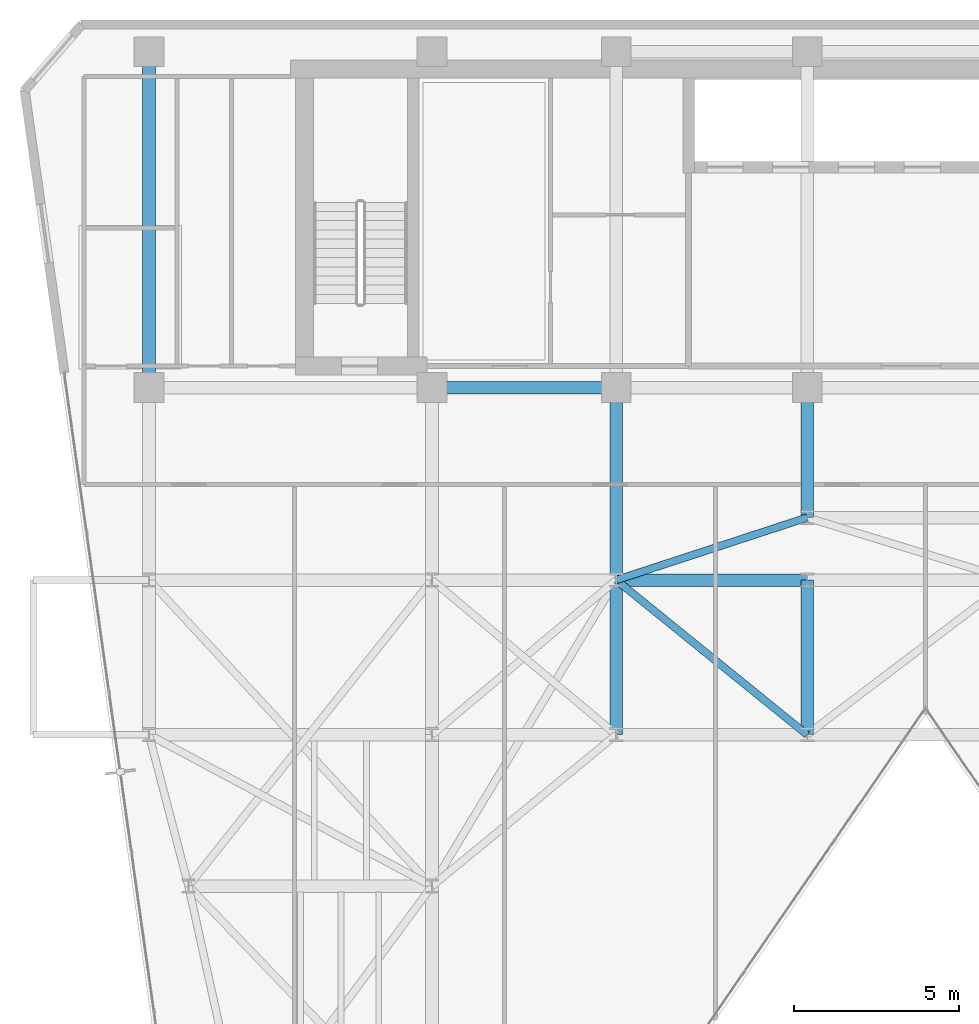
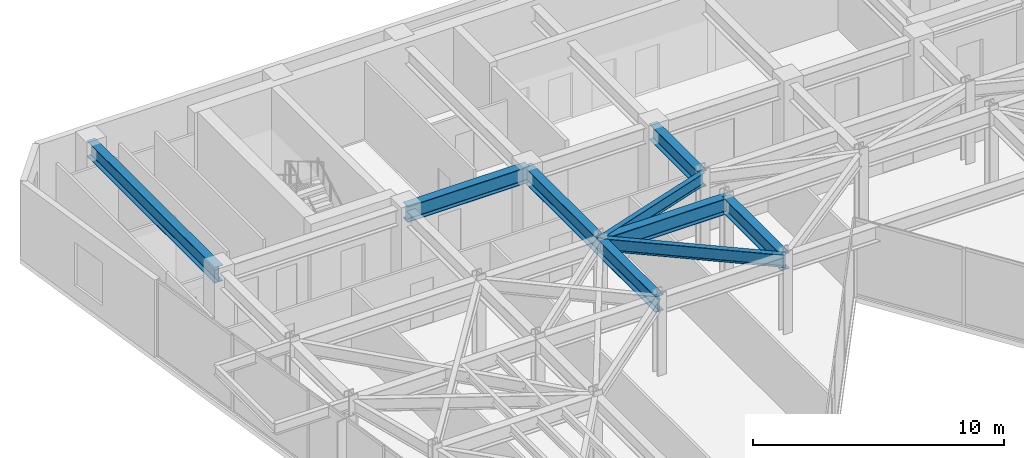
# One storey, part 13 of 27: 9 beams.
"""IFC4 building model written with IfcOpenShell, lengths in metres."""

from ifc_helpers import new_model, si_unit, direction, frame, origin, origin_2d, place, context, subcontext, project, spatial, i_section, extrude, material, material_profile, profile_set, type_object, element, save


model = new_model("IFC4")

# Units and contexts
model_context = context("Model", 3, precision=1e-05, world=origin(), true_north=direction((0.0, 1.0)))
body_context = subcontext(model_context, "Body", "Model", "MODEL_VIEW")
ifc_project = project(units=[si_unit("LENGTHUNIT", "METRE"), si_unit("AREAUNIT", "SQUARE_METRE"), si_unit("VOLUMEUNIT", "CUBIC_METRE"), si_unit("PLANEANGLEUNIT", "RADIAN"), si_unit("MASSUNIT", "GRAM", prefix="KILO")], contexts=[model_context])

# Site, building, storey
site_placement = place(None, origin())
site = spatial("IfcSite", under=ifc_project, at=site_placement, CompositionType="ELEMENT")
building_placement = place(site_placement, origin())
building = spatial("IfcBuilding", under=site, at=building_placement, Name="Kravanh Interchange Tower", CompositionType="ELEMENT")
storey_placement = place(building_placement, frame((0.0, 0.0, 164.5)))
storey = spatial("IfcBuildingStorey", under=building, at=storey_placement, Name="L39", CompositionType="ELEMENT", Elevation=164.5)

# Beams
ifc_material_1 = material(Name="Structural Steel S355", Category="steel")
ifc_material_profile_1 = material_profile(ifc_material_1, i_section(OverallWidth=0.381103515625, OverallDepth=0.77294921875, WebThickness=0.0166015625, FlangeThickness=0.027099609375, FilletRadius=0.02490234375, at=origin_2d()), Name="W30X173")
ifc_profile_set_1 = profile_set([ifc_material_profile_1], Name="Structural Steel S355")
beam_type_1 = type_object("IfcBeamType", Name="Floor Beam W30X173 Structural Steel S355", PredefinedType="BEAM", material=ifc_profile_set_1)
beam_1_placement = place(storey_placement, frame((38.60009765625, 37.35009765625, 3.368408203125), z_axis=(0.0, -1.0, 0.0), x_axis=(1.0, 0.0, 0.0)))
element("IfcBeam", 1, at=beam_1_placement, inside=storey, type_object=beam_type_1, Name="L39 Primary Floor Girder 16", PredefinedType="BEAM", context=body_context, shape_type="SweptSolid", body=[
    extrude(i_section(OverallWidth=0.381103515625, OverallDepth=0.77294921875, WebThickness=0.0166015625, FlangeThickness=0.027099609375, FilletRadius=0.02490234375, at=origin_2d()), origin(), (0.0, 0.0, 1.0), 3.9501953125),
])
beam_2_placement = place(storey_placement, frame((32.800048828125, 37.35009765625, 3.368408203125), z_axis=(-1.0, 0.0, 0.0), x_axis=(0.0, -1.0, 0.0)))
element("IfcBeam", 2, at=beam_2_placement, inside=storey, type_object=beam_type_1, Name="L39 Primary Floor Girder 20", PredefinedType="BEAM", context=body_context, shape_type="SweptSolid", body=[
    extrude(i_section(OverallWidth=0.381103515625, OverallDepth=0.77294921875, WebThickness=0.0166015625, FlangeThickness=0.027099609375, FilletRadius=0.02490234375, at=origin_2d()), origin(), (0.0, 0.0, 1.0), 5.60009765625),
])
beam_3_placement = place(storey_placement, frame((32.800048828125, 37.35009765625, 3.368408203125), z_axis=(0.0, -1.0, 0.0), x_axis=(1.0, 0.0, 0.0)))
element("IfcBeam", 3, at=beam_3_placement, inside=storey, type_object=beam_type_1, Name="L39 Primary Floor Girder 21", PredefinedType="BEAM", context=body_context, shape_type="SweptSolid", body=[
    extrude(i_section(OverallWidth=0.381103515625, OverallDepth=0.77294921875, WebThickness=0.0166015625, FlangeThickness=0.027099609375, FilletRadius=0.02490234375, at=origin_2d()), origin(), (0.0, 0.0, 1.0), 5.85009765625),
])
beam_4_placement = place(storey_placement, frame((18.60009765625, 37.35009765625, 3.368408203125), z_axis=(0.0, 1.0, 0.0), x_axis=(-1.0, 0.0, 0.0)))
element("IfcBeam", 4, at=beam_4_placement, inside=storey, type_object=beam_type_1, Name="L39 Primary Floor Girder 29", PredefinedType="BEAM", context=body_context, shape_type="SweptSolid", body=[
    extrude(i_section(OverallWidth=0.381103515625, OverallDepth=0.77294921875, WebThickness=0.0166015625, FlangeThickness=0.027099609375, FilletRadius=0.02490234375, at=origin_2d()), origin(), (0.0, 0.0, 1.0), 10.199951171875),
])
for number, where, z_axis, x_axis, name in (
    (5, (32.800048828125, 26.800048828125, 3.368408203125), (0.0, 1.0, 0.0), (-1.0, 0.0, 0.0), "L39 Primary Floor Girder 41"),
    (6, (38.60009765625, 26.800048828125, 3.368408203125), (0.0, 1.0, 0.0), (-1.0, 0.0, 0.0), "L39 Primary Floor Girder 45"),
):
    element("IfcBeam", number, at=place(storey_placement, frame(where, z_axis=z_axis, x_axis=x_axis)), inside=storey, type_object=beam_type_1, Name=name, PredefinedType="BEAM", context=body_context, shape_type="SweptSolid", body=[
        extrude(i_section(OverallWidth=0.381103515625, OverallDepth=0.77294921875, WebThickness=0.0166015625, FlangeThickness=0.027099609375, FilletRadius=0.02490234375, at=origin_2d()), origin(), (0.0, 0.0, 1.0), 4.699951171875),
    ])
beam_5_placement = place(storey_placement, frame((32.800048828125, 31.5, 3.368408203125), z_axis=(1.0, 0.0, 0.0), x_axis=(0.0, 1.0, 0.0)))
element("IfcBeam", 7, at=beam_5_placement, inside=storey, type_object=beam_type_1, Name="L39 Primary Floor Girder 67", PredefinedType="BEAM", context=body_context, shape_type="SweptSolid", body=[
    extrude(i_section(OverallWidth=0.381103515625, OverallDepth=0.77294921875, WebThickness=0.0166015625, FlangeThickness=0.027099609375, FilletRadius=0.02490234375, at=origin_2d()), origin(), (0.0, 0.0, 1.0), 5.800048828125),
])
ifc_material_2 = material(Name="Structural Steel S355", Category="steel")
ifc_material_profile_2 = material_profile(ifc_material_2, i_section(OverallWidth=0.22802734375, OverallDepth=0.60791015625, WebThickness=0.01123046875, FlangeThickness=0.017333984375, FilletRadius=0.02197265625, at=origin_2d()), Name="W24X76")
ifc_profile_set_2 = profile_set([ifc_material_profile_2], Name="Structural Steel S355")
beam_type_2 = type_object("IfcBeamType", Name="Floor Spandrel W24X76 Structural Steel S355", PredefinedType="SPANDREL", material=ifc_profile_set_2)
beam_6_placement = place(storey_placement, frame((38.60009765625, 26.800048828125, 3.450927734375), z_axis=(-0.776938619557, 0.629576350764, 0.0), x_axis=(-0.629576350764, -0.776938619557, 0.0)))
element("IfcBeam", 8, at=beam_6_placement, inside=storey, type_object=beam_type_2, Name="L39 Perimeter Spandrel 46", PredefinedType="SPANDREL", context=body_context, shape_type="SweptSolid", body=[
    extrude(i_section(OverallWidth=0.22802734375, OverallDepth=0.60791015625, WebThickness=0.01123046875, FlangeThickness=0.017333984375, FilletRadius=0.02197265625, at=origin_2d()), origin(), (0.0, 0.0, 1.0), 7.46533203125),
])
beam_7_placement = place(storey_placement, frame((32.800048828125, 31.5, 3.450927734375), z_axis=(0.950314536578, 0.31129131303, 0.0), x_axis=(-0.31129131303, 0.950314536578, 0.0)))
element("IfcBeam", 9, at=beam_7_placement, inside=storey, type_object=beam_type_2, Name="L39 Perimeter Spandrel 68", PredefinedType="SPANDREL", context=body_context, shape_type="SweptSolid", body=[
    extrude(i_section(OverallWidth=0.22802734375, OverallDepth=0.60791015625, WebThickness=0.01123046875, FlangeThickness=0.017333984375, FilletRadius=0.02197265625, at=origin_2d()), origin(), (0.0, 0.0, 1.0), 6.103271484375),
])

save(model, "model.ifc")
